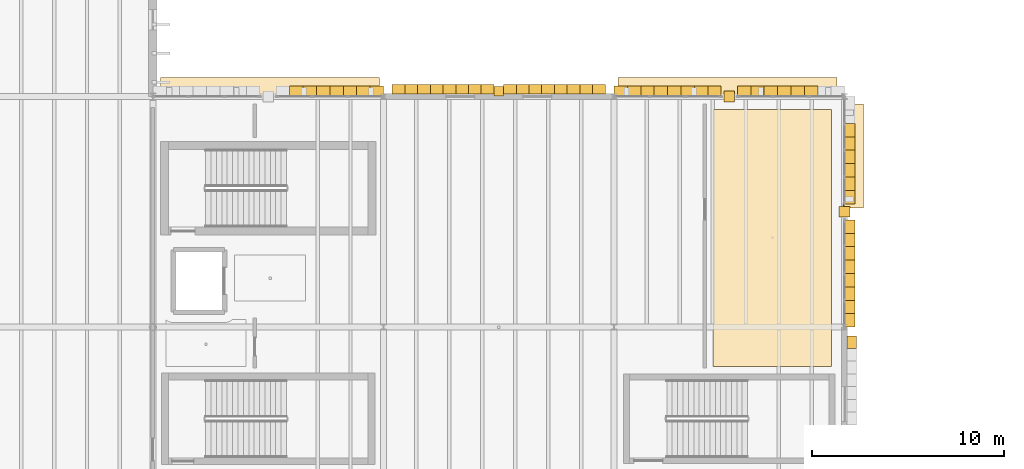
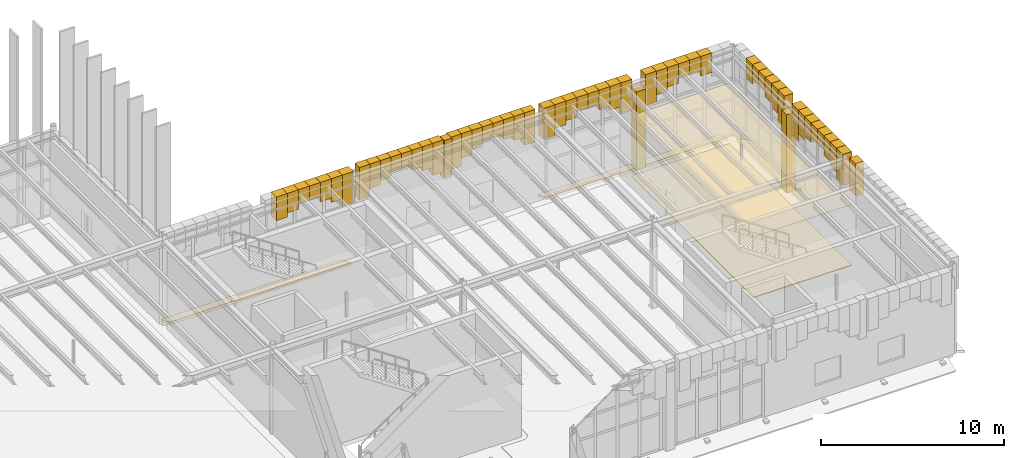
# One storey, part 77 of 83: 60 coverings.
"""IFC4 building model written with IfcOpenShell, lengths in metres."""

from ifc_helpers import new_model, si_unit, direction, frame, origin, place, context, subcontext, project, spatial, polyline, outline, extrude, material, layer, layer_set, type_object, element, save


model = new_model("IFC4")

# Units and contexts
model_context = context("Model", 3, precision=1e-05, world=origin(), true_north=direction((0.0, 1.0)))
body_context = subcontext(model_context, "Body", "Model", "MODEL_VIEW")
ifc_project = project(units=[si_unit("LENGTHUNIT", "METRE"), si_unit("AREAUNIT", "SQUARE_METRE"), si_unit("VOLUMEUNIT", "CUBIC_METRE"), si_unit("PLANEANGLEUNIT", "RADIAN"), si_unit("MASSUNIT", "GRAM", prefix="KILO")], contexts=[model_context])

# Site, building, storey
site_placement = place(None, origin())
site = spatial("IfcSite", under=ifc_project, at=site_placement, CompositionType="ELEMENT")
building_placement = place(site_placement, origin())
building = spatial("IfcBuilding", under=site, at=building_placement, Name="Zlatogorsky Bluff Art Gallery", CompositionType="ELEMENT")
storey_placement = place(building_placement, frame((0.0, 0.0, 10.800048828125)))
storey = spatial("IfcBuildingStorey", under=building, at=storey_placement, Name="L02", CompositionType="ELEMENT", Elevation=10.800048828125)

# Coverings
ifc_material_1 = material(Name="Perforated Gypsum Acoustic Board", Category="gypsum")
ifc_layer_1 = layer(ifc_material_1, 0.0400390625)
ifc_layer_set_1 = layer_set([ifc_layer_1], Name="Acoustic Gallery Ceiling CLG-01")
covering_type_1 = type_object("IfcCoveringType", Name="Acoustic Gallery Ceiling CLG-01", PredefinedType="CEILING", material=ifc_layer_set_1)
covering_1_placement = place(storey_placement, frame((0.0, 0.0, 4.050048828125)))
element("IfcCovering", 1, at=covering_1_placement, inside=storey, type_object=covering_type_1, Name="Artists' Critique and Printmaking Studio acoustic ceiling", PredefinedType="CEILING", context=body_context, shape_type="SweptSolid", body=[
    extrude(outline(polyline([(149.16064453125, 93.9599609375), (149.16064453125, 107.330078125), (155.330078125, 107.330078125), (155.330078125, 93.9599609375), (149.16064453125, 93.9599609375)])), origin(), (0.0, 0.0, 1.0), 0.039794921875),
])
ifc_material_2 = material(Name="Honed Red Agra-Tone Quartzitic Sandstone", Category="masonry")
ifc_layer_2 = layer(ifc_material_2, 0.1201171875)
ifc_layer_set_2 = layer_set([ifc_layer_2], Name="Carved Sandstone Cladding CLD-02")
covering_type_2 = type_object("IfcCoveringType", Name="Carved Sandstone Cladding CLD-02", PredefinedType="CLADDING", material=ifc_layer_set_2)
covering_2_placement = place(storey_placement, frame((0.0, 0.0, 4.379638671875)))
element("IfcCovering", 2, at=covering_2_placement, inside=storey, type_object=covering_type_2, Name="Pointed Mughal arch voussoir spandrel ARCH-CW-L02-N-10-09-A.2", PredefinedType="CLADDING", context=body_context, shape_type="SweptSolid", body=[
    extrude(outline(polyline([(127.117431640625, 107.969970703125), (127.81494140625, 107.969970703125), (127.81494140625, 108.5400390625), (127.117431640625, 108.5400390625), (127.117431640625, 107.969970703125)])), origin(), (0.0, 0.0, 1.0), 1.580322265625),
])
covering_3_placement = place(storey_placement, frame((0.0, 0.0, 4.65625)))
element("IfcCovering", 3, at=covering_3_placement, inside=storey, type_object=covering_type_2, Name="Pointed Mughal arch voussoir spandrel ARCH-CW-L02-N-10-09-A.3", PredefinedType="CLADDING", context=body_context, shape_type="SweptSolid", body=[
    extrude(outline(polyline([(127.81494140625, 107.969970703125), (128.512451171875, 107.969970703125), (128.512451171875, 108.5400390625), (127.81494140625, 108.5400390625), (127.81494140625, 107.969970703125)])), origin(), (0.0, 0.0, 1.0), 1.3037109375),
])
covering_4_placement = place(storey_placement, frame((0.0, 0.0, 5.00439453125)))
element("IfcCovering", 4, at=covering_4_placement, inside=storey, type_object=covering_type_2, Name="Pointed Mughal arch voussoir spandrel ARCH-CW-L02-N-10-09-A.4", PredefinedType="CLADDING", context=body_context, shape_type="SweptSolid", body=[
    extrude(outline(polyline([(128.512451171875, 107.969970703125), (129.2099609375, 107.969970703125), (129.2099609375, 108.5400390625), (128.512451171875, 108.5400390625), (128.512451171875, 107.969970703125)])), origin(), (0.0, 0.0, 1.0), 0.95556640625),
])
covering_5_placement = place(storey_placement, frame((0.0, 0.0, 5.00439453125)))
element("IfcCovering", 5, at=covering_5_placement, inside=storey, type_object=covering_type_2, Name="Pointed Mughal arch voussoir spandrel ARCH-CW-L02-N-10-09-A.5", PredefinedType="CLADDING", context=body_context, shape_type="SweptSolid", body=[
    extrude(outline(polyline([(129.2099609375, 107.969970703125), (129.907470703125, 107.969970703125), (129.907470703125, 108.5400390625), (129.2099609375, 108.5400390625), (129.2099609375, 107.969970703125)])), origin(), (0.0, 0.0, 1.0), 0.95556640625),
])
covering_6_placement = place(storey_placement, frame((0.0, 0.0, 4.65625)))
element("IfcCovering", 6, at=covering_6_placement, inside=storey, type_object=covering_type_2, Name="Pointed Mughal arch voussoir spandrel ARCH-CW-L02-N-10-09-A.6", PredefinedType="CLADDING", context=body_context, shape_type="SweptSolid", body=[
    extrude(outline(polyline([(129.907470703125, 107.969970703125), (130.60498046875, 107.969970703125), (130.60498046875, 108.5400390625), (129.907470703125, 108.5400390625), (129.907470703125, 107.969970703125)])), origin(), (0.0, 0.0, 1.0), 1.3037109375),
])
covering_7_placement = place(storey_placement, frame((0.0, 0.0, 4.379638671875)))
element("IfcCovering", 7, at=covering_7_placement, inside=storey, type_object=covering_type_2, Name="Pointed Mughal arch voussoir spandrel ARCH-CW-L02-N-10-09-A.7", PredefinedType="CLADDING", context=body_context, shape_type="SweptSolid", body=[
    extrude(outline(polyline([(130.60498046875, 107.969970703125), (131.302490234375, 107.969970703125), (131.302490234375, 108.5400390625), (130.60498046875, 108.5400390625), (130.60498046875, 107.969970703125)])), origin(), (0.0, 0.0, 1.0), 1.580322265625),
])
covering_8_placement = place(storey_placement, frame((0.0, 0.0, 3.877685546875)))
element("IfcCovering", 8, at=covering_8_placement, inside=storey, type_object=covering_type_2, Name="Pointed Mughal arch voussoir spandrel ARCH-CW-L02-N-10-09-A.8", PredefinedType="CLADDING", context=body_context, shape_type="SweptSolid", body=[
    extrude(outline(polyline([(131.302490234375, 107.969970703125), (132.0, 107.969970703125), (132.0, 108.5400390625), (131.302490234375, 108.5400390625), (131.302490234375, 107.969970703125)])), origin(), (0.0, 0.0, 1.0), 2.082275390625),
])
covering_9_placement = place(storey_placement, frame((0.0, 0.0, 3.35986328125)))
element("IfcCovering", 9, at=covering_9_placement, inside=storey, type_object=covering_type_2, Name="Mughal blind-arch sandstone pilaster L02.N.11.9", PredefinedType="CLADDING", context=body_context, shape_type="SweptSolid", body=[
    extrude(outline(polyline([(137.760009765625, 108.0400390625), (138.239990234375, 108.0400390625), (138.239990234375, 108.52001953125), (137.760009765625, 108.52001953125), (137.760009765625, 108.0400390625)])), origin(), (0.0, 0.0, 1.0), 2.60009765625),
])
covering_10_placement = place(storey_placement, frame((0.0, 0.0, 3.80224609375)))
element("IfcCovering", 10, at=covering_10_placement, inside=storey, type_object=covering_type_2, Name="Pointed Mughal arch voussoir spandrel WARCH-L02-N-11-09-A.1", PredefinedType="CLADDING", context=body_context, shape_type="SweptSolid", body=[
    extrude(outline(polyline([(132.449951171875, 108.1298828125), (133.112548828125, 108.1298828125), (133.112548828125, 108.6201171875), (132.449951171875, 108.6201171875), (132.449951171875, 108.1298828125)])), origin(), (0.0, 0.0, 1.0), 2.15771484375),
])
covering_11_placement = place(storey_placement, frame((0.0, 0.0, 4.333740234375)))
element("IfcCovering", 11, at=covering_11_placement, inside=storey, type_object=covering_type_2, Name="Pointed Mughal arch voussoir spandrel WARCH-L02-N-11-09-A.2", PredefinedType="CLADDING", context=body_context, shape_type="SweptSolid", body=[
    extrude(outline(polyline([(133.112548828125, 108.1298828125), (133.77490234375, 108.1298828125), (133.77490234375, 108.6201171875), (133.112548828125, 108.6201171875), (133.112548828125, 108.1298828125)])), origin(), (0.0, 0.0, 1.0), 1.626220703125),
])
covering_12_placement = place(storey_placement, frame((0.0, 0.0, 4.626708984375)))
element("IfcCovering", 12, at=covering_12_placement, inside=storey, type_object=covering_type_2, Name="Pointed Mughal arch voussoir spandrel WARCH-L02-N-11-09-A.3", PredefinedType="CLADDING", context=body_context, shape_type="SweptSolid", body=[
    extrude(outline(polyline([(133.77490234375, 108.1298828125), (134.4375, 108.1298828125), (134.4375, 108.6201171875), (133.77490234375, 108.6201171875), (133.77490234375, 108.1298828125)])), origin(), (0.0, 0.0, 1.0), 1.333251953125),
])
covering_13_placement = place(storey_placement, frame((0.0, 0.0, 4.995361328125)))
element("IfcCovering", 13, at=covering_13_placement, inside=storey, type_object=covering_type_2, Name="Pointed Mughal arch voussoir spandrel WARCH-L02-N-11-09-A.4", PredefinedType="CLADDING", context=body_context, shape_type="SweptSolid", body=[
    extrude(outline(polyline([(134.4375, 108.1298828125), (135.10009765625, 108.1298828125), (135.10009765625, 108.6201171875), (134.4375, 108.6201171875), (134.4375, 108.1298828125)])), origin(), (0.0, 0.0, 1.0), 0.964599609375),
])
covering_14_placement = place(storey_placement, frame((0.0, 0.0, 4.995361328125)))
element("IfcCovering", 14, at=covering_14_placement, inside=storey, type_object=covering_type_2, Name="Pointed Mughal arch voussoir spandrel WARCH-L02-N-11-09-A.5", PredefinedType="CLADDING", context=body_context, shape_type="SweptSolid", body=[
    extrude(outline(polyline([(135.10009765625, 108.1298828125), (135.762451171875, 108.1298828125), (135.762451171875, 108.6201171875), (135.10009765625, 108.6201171875), (135.10009765625, 108.1298828125)])), origin(), (0.0, 0.0, 1.0), 0.964599609375),
])
covering_15_placement = place(storey_placement, frame((0.0, 0.0, 4.626708984375)))
element("IfcCovering", 15, at=covering_15_placement, inside=storey, type_object=covering_type_2, Name="Pointed Mughal arch voussoir spandrel WARCH-L02-N-11-09-A.6", PredefinedType="CLADDING", context=body_context, shape_type="SweptSolid", body=[
    extrude(outline(polyline([(135.762451171875, 108.1298828125), (136.425048828125, 108.1298828125), (136.425048828125, 108.6201171875), (135.762451171875, 108.6201171875), (135.762451171875, 108.1298828125)])), origin(), (0.0, 0.0, 1.0), 1.333251953125),
])
covering_16_placement = place(storey_placement, frame((0.0, 0.0, 4.333740234375)))
element("IfcCovering", 16, at=covering_16_placement, inside=storey, type_object=covering_type_2, Name="Pointed Mughal arch voussoir spandrel WARCH-L02-N-11-09-A.7", PredefinedType="CLADDING", context=body_context, shape_type="SweptSolid", body=[
    extrude(outline(polyline([(136.425048828125, 108.1298828125), (137.08740234375, 108.1298828125), (137.08740234375, 108.6201171875), (136.425048828125, 108.6201171875), (136.425048828125, 108.1298828125)])), origin(), (0.0, 0.0, 1.0), 1.626220703125),
])
covering_17_placement = place(storey_placement, frame((0.0, 0.0, 3.80224609375)))
element("IfcCovering", 17, at=covering_17_placement, inside=storey, type_object=covering_type_2, Name="Pointed Mughal arch voussoir spandrel WARCH-L02-N-11-09-A.8", PredefinedType="CLADDING", context=body_context, shape_type="SweptSolid", body=[
    extrude(outline(polyline([(137.08740234375, 108.1298828125), (137.75, 108.1298828125), (137.75, 108.6201171875), (137.08740234375, 108.6201171875), (137.08740234375, 108.1298828125)])), origin(), (0.0, 0.0, 1.0), 2.15771484375),
])
covering_18_placement = place(storey_placement, frame((0.0, 0.0, 3.80224609375)))
element("IfcCovering", 18, at=covering_18_placement, inside=storey, type_object=covering_type_2, Name="Pointed Mughal arch voussoir spandrel WARCH-L02-N-11-09-B.1", PredefinedType="CLADDING", context=body_context, shape_type="SweptSolid", body=[
    extrude(outline(polyline([(138.25, 108.1298828125), (138.91259765625, 108.1298828125), (138.91259765625, 108.6201171875), (138.25, 108.6201171875), (138.25, 108.1298828125)])), origin(), (0.0, 0.0, 1.0), 2.15771484375),
])
covering_19_placement = place(storey_placement, frame((0.0, 0.0, 4.333740234375)))
element("IfcCovering", 19, at=covering_19_placement, inside=storey, type_object=covering_type_2, Name="Pointed Mughal arch voussoir spandrel WARCH-L02-N-11-09-B.2", PredefinedType="CLADDING", context=body_context, shape_type="SweptSolid", body=[
    extrude(outline(polyline([(138.91259765625, 108.1298828125), (139.574951171875, 108.1298828125), (139.574951171875, 108.6201171875), (138.91259765625, 108.6201171875), (138.91259765625, 108.1298828125)])), origin(), (0.0, 0.0, 1.0), 1.626220703125),
])
covering_20_placement = place(storey_placement, frame((0.0, 0.0, 4.626708984375)))
element("IfcCovering", 20, at=covering_20_placement, inside=storey, type_object=covering_type_2, Name="Pointed Mughal arch voussoir spandrel WARCH-L02-N-11-09-B.3", PredefinedType="CLADDING", context=body_context, shape_type="SweptSolid", body=[
    extrude(outline(polyline([(139.574951171875, 108.1298828125), (140.237548828125, 108.1298828125), (140.237548828125, 108.6201171875), (139.574951171875, 108.6201171875), (139.574951171875, 108.1298828125)])), origin(), (0.0, 0.0, 1.0), 1.333251953125),
])
covering_21_placement = place(storey_placement, frame((0.0, 0.0, 4.995361328125)))
element("IfcCovering", 21, at=covering_21_placement, inside=storey, type_object=covering_type_2, Name="Pointed Mughal arch voussoir spandrel WARCH-L02-N-11-09-B.4", PredefinedType="CLADDING", context=body_context, shape_type="SweptSolid", body=[
    extrude(outline(polyline([(140.237548828125, 108.1298828125), (140.89990234375, 108.1298828125), (140.89990234375, 108.6201171875), (140.237548828125, 108.6201171875), (140.237548828125, 108.1298828125)])), origin(), (0.0, 0.0, 1.0), 0.964599609375),
])
covering_22_placement = place(storey_placement, frame((0.0, 0.0, 4.995361328125)))
element("IfcCovering", 22, at=covering_22_placement, inside=storey, type_object=covering_type_2, Name="Pointed Mughal arch voussoir spandrel WARCH-L02-N-11-09-B.5", PredefinedType="CLADDING", context=body_context, shape_type="SweptSolid", body=[
    extrude(outline(polyline([(140.89990234375, 108.1298828125), (141.5625, 108.1298828125), (141.5625, 108.6201171875), (140.89990234375, 108.6201171875), (140.89990234375, 108.1298828125)])), origin(), (0.0, 0.0, 1.0), 0.964599609375),
])
covering_23_placement = place(storey_placement, frame((0.0, 0.0, 4.626708984375)))
element("IfcCovering", 23, at=covering_23_placement, inside=storey, type_object=covering_type_2, Name="Pointed Mughal arch voussoir spandrel WARCH-L02-N-11-09-B.6", PredefinedType="CLADDING", context=body_context, shape_type="SweptSolid", body=[
    extrude(outline(polyline([(141.5625, 108.1298828125), (142.22509765625, 108.1298828125), (142.22509765625, 108.6201171875), (141.5625, 108.6201171875), (141.5625, 108.1298828125)])), origin(), (0.0, 0.0, 1.0), 1.333251953125),
])
covering_24_placement = place(storey_placement, frame((0.0, 0.0, 4.333740234375)))
element("IfcCovering", 24, at=covering_24_placement, inside=storey, type_object=covering_type_2, Name="Pointed Mughal arch voussoir spandrel WARCH-L02-N-11-09-B.7", PredefinedType="CLADDING", context=body_context, shape_type="SweptSolid", body=[
    extrude(outline(polyline([(142.22509765625, 108.1298828125), (142.887451171875, 108.1298828125), (142.887451171875, 108.6201171875), (142.22509765625, 108.6201171875), (142.22509765625, 108.1298828125)])), origin(), (0.0, 0.0, 1.0), 1.626220703125),
])
covering_25_placement = place(storey_placement, frame((0.0, 0.0, 3.80224609375)))
element("IfcCovering", 25, at=covering_25_placement, inside=storey, type_object=covering_type_2, Name="Pointed Mughal arch voussoir spandrel WARCH-L02-N-11-09-B.8", PredefinedType="CLADDING", context=body_context, shape_type="SweptSolid", body=[
    extrude(outline(polyline([(142.887451171875, 108.1298828125), (143.550048828125, 108.1298828125), (143.550048828125, 108.6201171875), (142.887451171875, 108.6201171875), (142.887451171875, 108.1298828125)])), origin(), (0.0, 0.0, 1.0), 2.15771484375),
])
covering_26_placement = place(storey_placement, frame((0.0, 0.0, 3.80224609375)))
element("IfcCovering", 26, at=covering_26_placement, inside=storey, type_object=covering_type_2, Name="Pointed Mughal arch voussoir spandrel WARCH-L02-E-12-08-B.8", PredefinedType="CLADDING", context=body_context, shape_type="SweptSolid", body=[
    extrude(outline(polyline([(156.1298828125, 94.887451171875), (156.1298828125, 95.550048828125), (156.6201171875, 95.550048828125), (156.6201171875, 94.887451171875), (156.1298828125, 94.887451171875)])), origin(), (0.0, 0.0, 1.0), 2.15771484375),
])
covering_27_placement = place(storey_placement, frame((0.0, 0.0, -0.030029296875)))
element("IfcCovering", 27, at=covering_27_placement, inside=storey, type_object=covering_type_2, Name="Mughal dalan central sandstone pier L02 N 12.9", PredefinedType="CLADDING", context=body_context, shape_type="SweptSolid", body=[
    extrude(outline(polyline([(149.719970703125, 107.719970703125), (150.280029296875, 107.719970703125), (150.280029296875, 108.280029296875), (149.719970703125, 108.280029296875), (149.719970703125, 107.719970703125)])), origin(), (0.0, 0.0, 1.0), 5.239990234375),
])
covering_28_placement = place(storey_placement, frame((0.0, 0.0, 3.877685546875)))
element("IfcCovering", 28, at=covering_28_placement, inside=storey, type_object=covering_type_2, Name="Pointed Mughal arch voussoir spandrel ARCH-CW-L02-N-12-09-A.1", PredefinedType="CLADDING", context=body_context, shape_type="SweptSolid", body=[
    extrude(outline(polyline([(150.419921875, 107.969970703125), (151.117431640625, 107.969970703125), (151.117431640625, 108.5400390625), (150.419921875, 108.5400390625), (150.419921875, 107.969970703125)])), origin(), (0.0, 0.0, 1.0), 2.082275390625),
])
covering_29_placement = place(storey_placement, frame((0.0, 0.0, 4.379638671875)))
element("IfcCovering", 29, at=covering_29_placement, inside=storey, type_object=covering_type_2, Name="Pointed Mughal arch voussoir spandrel ARCH-CW-L02-N-12-09-A.2", PredefinedType="CLADDING", context=body_context, shape_type="SweptSolid", body=[
    extrude(outline(polyline([(151.117431640625, 107.969970703125), (151.81494140625, 107.969970703125), (151.81494140625, 108.5400390625), (151.117431640625, 108.5400390625), (151.117431640625, 107.969970703125)])), origin(), (0.0, 0.0, 1.0), 1.580322265625),
])
covering_30_placement = place(storey_placement, frame((0.0, 0.0, 4.65625)))
element("IfcCovering", 30, at=covering_30_placement, inside=storey, type_object=covering_type_2, Name="Pointed Mughal arch voussoir spandrel ARCH-CW-L02-N-12-09-A.3", PredefinedType="CLADDING", context=body_context, shape_type="SweptSolid", body=[
    extrude(outline(polyline([(151.81494140625, 107.969970703125), (152.512451171875, 107.969970703125), (152.512451171875, 108.5400390625), (151.81494140625, 108.5400390625), (151.81494140625, 107.969970703125)])), origin(), (0.0, 0.0, 1.0), 1.3037109375),
])
covering_31_placement = place(storey_placement, frame((0.0, 0.0, 5.00439453125)))
element("IfcCovering", 31, at=covering_31_placement, inside=storey, type_object=covering_type_2, Name="Pointed Mughal arch voussoir spandrel ARCH-CW-L02-N-12-09-A.4", PredefinedType="CLADDING", context=body_context, shape_type="SweptSolid", body=[
    extrude(outline(polyline([(152.512451171875, 107.969970703125), (153.2099609375, 107.969970703125), (153.2099609375, 108.5400390625), (152.512451171875, 108.5400390625), (152.512451171875, 107.969970703125)])), origin(), (0.0, 0.0, 1.0), 0.95556640625),
])
covering_32_placement = place(storey_placement, frame((0.0, 0.0, 5.00439453125)))
element("IfcCovering", 32, at=covering_32_placement, inside=storey, type_object=covering_type_2, Name="Pointed Mughal arch voussoir spandrel ARCH-CW-L02-N-12-09-A.5", PredefinedType="CLADDING", context=body_context, shape_type="SweptSolid", body=[
    extrude(outline(polyline([(153.2099609375, 107.969970703125), (153.907470703125, 107.969970703125), (153.907470703125, 108.5400390625), (153.2099609375, 108.5400390625), (153.2099609375, 107.969970703125)])), origin(), (0.0, 0.0, 1.0), 0.95556640625),
])
covering_33_placement = place(storey_placement, frame((0.0, 0.0, 4.65625)))
element("IfcCovering", 33, at=covering_33_placement, inside=storey, type_object=covering_type_2, Name="Pointed Mughal arch voussoir spandrel ARCH-CW-L02-N-12-09-A.6", PredefinedType="CLADDING", context=body_context, shape_type="SweptSolid", body=[
    extrude(outline(polyline([(153.907470703125, 107.969970703125), (154.60498046875, 107.969970703125), (154.60498046875, 108.5400390625), (153.907470703125, 108.5400390625), (153.907470703125, 107.969970703125)])), origin(), (0.0, 0.0, 1.0), 1.3037109375),
])
covering_34_placement = place(storey_placement, frame((0.0, 0.0, 3.877685546875)))
element("IfcCovering", 34, at=covering_34_placement, inside=storey, type_object=covering_type_2, Name="Pointed Mughal arch voussoir spandrel ARCH-CW-L02-N-12-09-B.1", PredefinedType="CLADDING", context=body_context, shape_type="SweptSolid", body=[
    extrude(outline(polyline([(144.0, 107.969970703125), (144.697509765625, 107.969970703125), (144.697509765625, 108.5400390625), (144.0, 108.5400390625), (144.0, 107.969970703125)])), origin(), (0.0, 0.0, 1.0), 2.082275390625),
])
covering_35_placement = place(storey_placement, frame((0.0, 0.0, 4.379638671875)))
element("IfcCovering", 35, at=covering_35_placement, inside=storey, type_object=covering_type_2, Name="Pointed Mughal arch voussoir spandrel ARCH-CW-L02-N-12-09-B.2", PredefinedType="CLADDING", context=body_context, shape_type="SweptSolid", body=[
    extrude(outline(polyline([(144.697509765625, 107.969970703125), (145.39501953125, 107.969970703125), (145.39501953125, 108.5400390625), (144.697509765625, 108.5400390625), (144.697509765625, 107.969970703125)])), origin(), (0.0, 0.0, 1.0), 1.580322265625),
])
covering_36_placement = place(storey_placement, frame((0.0, 0.0, 4.65625)))
element("IfcCovering", 36, at=covering_36_placement, inside=storey, type_object=covering_type_2, Name="Pointed Mughal arch voussoir spandrel ARCH-CW-L02-N-12-09-B.3", PredefinedType="CLADDING", context=body_context, shape_type="SweptSolid", body=[
    extrude(outline(polyline([(145.39501953125, 107.969970703125), (146.092529296875, 107.969970703125), (146.092529296875, 108.5400390625), (145.39501953125, 108.5400390625), (145.39501953125, 107.969970703125)])), origin(), (0.0, 0.0, 1.0), 1.3037109375),
])
covering_37_placement = place(storey_placement, frame((0.0, 0.0, 5.00439453125)))
element("IfcCovering", 37, at=covering_37_placement, inside=storey, type_object=covering_type_2, Name="Pointed Mughal arch voussoir spandrel ARCH-CW-L02-N-12-09-B.4", PredefinedType="CLADDING", context=body_context, shape_type="SweptSolid", body=[
    extrude(outline(polyline([(146.092529296875, 107.969970703125), (146.7900390625, 107.969970703125), (146.7900390625, 108.5400390625), (146.092529296875, 108.5400390625), (146.092529296875, 107.969970703125)])), origin(), (0.0, 0.0, 1.0), 0.95556640625),
])
covering_38_placement = place(storey_placement, frame((0.0, 0.0, 5.00439453125)))
element("IfcCovering", 38, at=covering_38_placement, inside=storey, type_object=covering_type_2, Name="Pointed Mughal arch voussoir spandrel ARCH-CW-L02-N-12-09-B.5", PredefinedType="CLADDING", context=body_context, shape_type="SweptSolid", body=[
    extrude(outline(polyline([(146.7900390625, 107.969970703125), (147.487548828125, 107.969970703125), (147.487548828125, 108.5400390625), (146.7900390625, 108.5400390625), (146.7900390625, 107.969970703125)])), origin(), (0.0, 0.0, 1.0), 0.95556640625),
])
covering_39_placement = place(storey_placement, frame((0.0, 0.0, 4.65625)))
element("IfcCovering", 39, at=covering_39_placement, inside=storey, type_object=covering_type_2, Name="Pointed Mughal arch voussoir spandrel ARCH-CW-L02-N-12-09-B.6", PredefinedType="CLADDING", context=body_context, shape_type="SweptSolid", body=[
    extrude(outline(polyline([(147.487548828125, 107.969970703125), (148.18505859375, 107.969970703125), (148.18505859375, 108.5400390625), (147.487548828125, 108.5400390625), (147.487548828125, 107.969970703125)])), origin(), (0.0, 0.0, 1.0), 1.3037109375),
])
covering_40_placement = place(storey_placement, frame((0.0, 0.0, 4.379638671875)))
element("IfcCovering", 40, at=covering_40_placement, inside=storey, type_object=covering_type_2, Name="Pointed Mughal arch voussoir spandrel ARCH-CW-L02-N-12-09-B.7", PredefinedType="CLADDING", context=body_context, shape_type="SweptSolid", body=[
    extrude(outline(polyline([(148.18505859375, 107.969970703125), (148.882568359375, 107.969970703125), (148.882568359375, 108.5400390625), (148.18505859375, 108.5400390625), (148.18505859375, 107.969970703125)])), origin(), (0.0, 0.0, 1.0), 1.580322265625),
])
covering_41_placement = place(storey_placement, frame((0.0, 0.0, 3.877685546875)))
element("IfcCovering", 41, at=covering_41_placement, inside=storey, type_object=covering_type_2, Name="Pointed Mughal arch voussoir spandrel ARCH-CW-L02-N-12-09-B.8", PredefinedType="CLADDING", context=body_context, shape_type="SweptSolid", body=[
    extrude(outline(polyline([(148.882568359375, 107.969970703125), (149.580078125, 107.969970703125), (149.580078125, 108.5400390625), (148.882568359375, 108.5400390625), (148.882568359375, 107.969970703125)])), origin(), (0.0, 0.0, 1.0), 2.082275390625),
])
covering_42_placement = place(storey_placement, frame((0.0, 0.0, -0.030029296875)))
element("IfcCovering", 42, at=covering_42_placement, inside=storey, type_object=covering_type_2, Name="Mughal dalan central sandstone pier L02 E 12.9", PredefinedType="CLADDING", context=body_context, shape_type="SweptSolid", body=[
    extrude(outline(polyline([(155.719970703125, 101.719970703125), (156.280029296875, 101.719970703125), (156.280029296875, 102.280029296875), (155.719970703125, 102.280029296875), (155.719970703125, 101.719970703125)])), origin(), (0.0, 0.0, 1.0), 5.239990234375),
])
covering_43_placement = place(storey_placement, frame((0.0, 0.0, 3.877685546875)))
element("IfcCovering", 43, at=covering_43_placement, inside=storey, type_object=covering_type_2, Name="Pointed Mughal arch voussoir spandrel ARCH-CW-L02-E-12-09-A.1", PredefinedType="CLADDING", context=body_context, shape_type="SweptSolid", body=[
    extrude(outline(polyline([(155.969970703125, 96.0), (155.969970703125, 96.697509765625), (156.5400390625, 96.697509765625), (156.5400390625, 96.0), (155.969970703125, 96.0)])), origin(), (0.0, 0.0, 1.0), 2.082275390625),
])
covering_44_placement = place(storey_placement, frame((0.0, 0.0, 4.379638671875)))
element("IfcCovering", 44, at=covering_44_placement, inside=storey, type_object=covering_type_2, Name="Pointed Mughal arch voussoir spandrel ARCH-CW-L02-E-12-09-A.2", PredefinedType="CLADDING", context=body_context, shape_type="SweptSolid", body=[
    extrude(outline(polyline([(155.969970703125, 96.697509765625), (155.969970703125, 97.39501953125), (156.5400390625, 97.39501953125), (156.5400390625, 96.697509765625), (155.969970703125, 96.697509765625)])), origin(), (0.0, 0.0, 1.0), 1.580322265625),
])
covering_45_placement = place(storey_placement, frame((0.0, 0.0, 4.65625)))
element("IfcCovering", 45, at=covering_45_placement, inside=storey, type_object=covering_type_2, Name="Pointed Mughal arch voussoir spandrel ARCH-CW-L02-E-12-09-A.3", PredefinedType="CLADDING", context=body_context, shape_type="SweptSolid", body=[
    extrude(outline(polyline([(155.969970703125, 97.39501953125), (155.969970703125, 98.092529296875), (156.5400390625, 98.092529296875), (156.5400390625, 97.39501953125), (155.969970703125, 97.39501953125)])), origin(), (0.0, 0.0, 1.0), 1.3037109375),
])
covering_46_placement = place(storey_placement, frame((0.0, 0.0, 5.00439453125)))
element("IfcCovering", 46, at=covering_46_placement, inside=storey, type_object=covering_type_2, Name="Pointed Mughal arch voussoir spandrel ARCH-CW-L02-E-12-09-A.4", PredefinedType="CLADDING", context=body_context, shape_type="SweptSolid", body=[
    extrude(outline(polyline([(155.969970703125, 98.092529296875), (155.969970703125, 98.7900390625), (156.5400390625, 98.7900390625), (156.5400390625, 98.092529296875), (155.969970703125, 98.092529296875)])), origin(), (0.0, 0.0, 1.0), 0.95556640625),
])
covering_47_placement = place(storey_placement, frame((0.0, 0.0, 5.00439453125)))
element("IfcCovering", 47, at=covering_47_placement, inside=storey, type_object=covering_type_2, Name="Pointed Mughal arch voussoir spandrel ARCH-CW-L02-E-12-09-A.5", PredefinedType="CLADDING", context=body_context, shape_type="SweptSolid", body=[
    extrude(outline(polyline([(155.969970703125, 98.7900390625), (155.969970703125, 99.487548828125), (156.5400390625, 99.487548828125), (156.5400390625, 98.7900390625), (155.969970703125, 98.7900390625)])), origin(), (0.0, 0.0, 1.0), 0.95556640625),
])
covering_48_placement = place(storey_placement, frame((0.0, 0.0, 4.65625)))
element("IfcCovering", 48, at=covering_48_placement, inside=storey, type_object=covering_type_2, Name="Pointed Mughal arch voussoir spandrel ARCH-CW-L02-E-12-09-A.6", PredefinedType="CLADDING", context=body_context, shape_type="SweptSolid", body=[
    extrude(outline(polyline([(155.969970703125, 99.487548828125), (155.969970703125, 100.18505859375), (156.5400390625, 100.18505859375), (156.5400390625, 99.487548828125), (155.969970703125, 99.487548828125)])), origin(), (0.0, 0.0, 1.0), 1.3037109375),
])
covering_49_placement = place(storey_placement, frame((0.0, 0.0, 4.379638671875)))
element("IfcCovering", 49, at=covering_49_placement, inside=storey, type_object=covering_type_2, Name="Pointed Mughal arch voussoir spandrel ARCH-CW-L02-E-12-09-A.7", PredefinedType="CLADDING", context=body_context, shape_type="SweptSolid", body=[
    extrude(outline(polyline([(155.969970703125, 100.18505859375), (155.969970703125, 100.882568359375), (156.5400390625, 100.882568359375), (156.5400390625, 100.18505859375), (155.969970703125, 100.18505859375)])), origin(), (0.0, 0.0, 1.0), 1.580322265625),
])
covering_50_placement = place(storey_placement, frame((0.0, 0.0, 3.877685546875)))
element("IfcCovering", 50, at=covering_50_placement, inside=storey, type_object=covering_type_2, Name="Pointed Mughal arch voussoir spandrel ARCH-CW-L02-E-12-09-A.8", PredefinedType="CLADDING", context=body_context, shape_type="SweptSolid", body=[
    extrude(outline(polyline([(155.969970703125, 100.882568359375), (155.969970703125, 101.580078125), (156.5400390625, 101.580078125), (156.5400390625, 100.882568359375), (155.969970703125, 100.882568359375)])), origin(), (0.0, 0.0, 1.0), 2.082275390625),
])
covering_51_placement = place(storey_placement, frame((0.0, 0.0, 3.877685546875)))
element("IfcCovering", 51, at=covering_51_placement, inside=storey, type_object=covering_type_2, Name="Pointed Mughal arch voussoir spandrel ARCH-CW-L02-E-12-09-B.1", PredefinedType="CLADDING", context=body_context, shape_type="SweptSolid", body=[
    extrude(outline(polyline([(155.969970703125, 102.419921875), (155.969970703125, 103.117431640625), (156.5400390625, 103.117431640625), (156.5400390625, 102.419921875), (155.969970703125, 102.419921875)])), origin(), (0.0, 0.0, 1.0), 2.082275390625),
])
covering_52_placement = place(storey_placement, frame((0.0, 0.0, 4.379638671875)))
element("IfcCovering", 52, at=covering_52_placement, inside=storey, type_object=covering_type_2, Name="Pointed Mughal arch voussoir spandrel ARCH-CW-L02-E-12-09-B.2", PredefinedType="CLADDING", context=body_context, shape_type="SweptSolid", body=[
    extrude(outline(polyline([(155.969970703125, 103.117431640625), (155.969970703125, 103.81494140625), (156.5400390625, 103.81494140625), (156.5400390625, 103.117431640625), (155.969970703125, 103.117431640625)])), origin(), (0.0, 0.0, 1.0), 1.580322265625),
])
covering_53_placement = place(storey_placement, frame((0.0, 0.0, 4.65625)))
element("IfcCovering", 53, at=covering_53_placement, inside=storey, type_object=covering_type_2, Name="Pointed Mughal arch voussoir spandrel ARCH-CW-L02-E-12-09-B.3", PredefinedType="CLADDING", context=body_context, shape_type="SweptSolid", body=[
    extrude(outline(polyline([(155.969970703125, 103.81494140625), (155.969970703125, 104.512451171875), (156.5400390625, 104.512451171875), (156.5400390625, 103.81494140625), (155.969970703125, 103.81494140625)])), origin(), (0.0, 0.0, 1.0), 1.3037109375),
])
covering_54_placement = place(storey_placement, frame((0.0, 0.0, 5.00439453125)))
element("IfcCovering", 54, at=covering_54_placement, inside=storey, type_object=covering_type_2, Name="Pointed Mughal arch voussoir spandrel ARCH-CW-L02-E-12-09-B.4", PredefinedType="CLADDING", context=body_context, shape_type="SweptSolid", body=[
    extrude(outline(polyline([(155.969970703125, 104.512451171875), (155.969970703125, 105.2099609375), (156.5400390625, 105.2099609375), (156.5400390625, 104.512451171875), (155.969970703125, 104.512451171875)])), origin(), (0.0, 0.0, 1.0), 0.95556640625),
])
covering_55_placement = place(storey_placement, frame((0.0, 0.0, 5.00439453125)))
element("IfcCovering", 55, at=covering_55_placement, inside=storey, type_object=covering_type_2, Name="Pointed Mughal arch voussoir spandrel ARCH-CW-L02-E-12-09-B.5", PredefinedType="CLADDING", context=body_context, shape_type="SweptSolid", body=[
    extrude(outline(polyline([(155.969970703125, 105.2099609375), (155.969970703125, 105.907470703125), (156.5400390625, 105.907470703125), (156.5400390625, 105.2099609375), (155.969970703125, 105.2099609375)])), origin(), (0.0, 0.0, 1.0), 0.95556640625),
])
covering_56_placement = place(storey_placement, frame((0.0, 0.0, 4.65625)))
element("IfcCovering", 56, at=covering_56_placement, inside=storey, type_object=covering_type_2, Name="Pointed Mughal arch voussoir spandrel ARCH-CW-L02-E-12-09-B.6", PredefinedType="CLADDING", context=body_context, shape_type="SweptSolid", body=[
    extrude(outline(polyline([(155.969970703125, 105.907470703125), (155.969970703125, 106.60498046875), (156.5400390625, 106.60498046875), (156.5400390625, 105.907470703125), (155.969970703125, 105.907470703125)])), origin(), (0.0, 0.0, 1.0), 1.3037109375),
])
for number, where, z_axis, x_axis, name in (
    (57, (120.39990234375, 107.9599609375, -0.0400390625), (0.0, 0.380683013172, 0.924705598276), (1.0, 0.0, 0.0), "Projecting sloped Mughal chhajja stone eave CHJ-NE-N-L02A"),
    (58, (144.199951171875, 107.9599609375, -0.0400390625), (0.0, 0.380683013172, 0.924705598276), (1.0, 0.0, 0.0), "Projecting sloped Mughal chhajja stone eave CHJ-NE-N-L02B"),
):
    element("IfcCovering", number, at=place(storey_placement, frame(where, z_axis=z_axis, x_axis=x_axis)), inside=storey, type_object=covering_type_2, Name=name, PredefinedType="CLADDING", context=body_context, shape_type="SweptSolid", body=[
        extrude(outline(polyline([(0.0, 0.0), (11.400146484375, 0.0), (11.400146484375, 1.1030748955691927), (0.0, 1.1030748955691927), (0.0, 0.0)])), origin(), (0.0, 0.0, -1.0), 0.139892578125),
    ])
covering_57_placement = place(storey_placement, frame((155.9599609375, 107.60009765625, -0.0400390625), z_axis=(0.380683013172, 0.0, 0.924705598276), x_axis=(0.0, -1.0, 0.0)))
element("IfcCovering", 59, at=covering_57_placement, inside=storey, type_object=covering_type_2, Name="Projecting sloped Mughal chhajja stone eave CHJ-NE-E-L02B", PredefinedType="CLADDING", context=body_context, shape_type="SweptSolid", body=[
    extrude(outline(polyline([(0.0, 0.0), (5.400146484375, 0.0), (5.400146484375, 1.1030748955691927), (0.0, 1.1030748955691927), (0.0, 0.0)])), origin(), (0.0, 0.0, -1.0), 0.139892578125),
])
ifc_material_3 = material(Name="Polished Ural Marble Terrazzo", Category="masonry")
ifc_layer_3 = layer(ifc_material_3, 0.050048828125)
ifc_layer_set_3 = layer_set([ifc_layer_3], Name="Terrazzo Gallery Flooring FLR-01")
covering_type_3 = type_object("IfcCoveringType", Name="Terrazzo Gallery Flooring FLR-01", PredefinedType="FLOORING", material=ifc_layer_set_3)
covering_58_placement = place(storey_placement, origin())
element("IfcCovering", 60, at=covering_58_placement, inside=storey, type_object=covering_type_3, Name="Artists' Critique and Printmaking Studio terrazzo floor finish", PredefinedType="FLOORING", context=body_context, shape_type="SweptSolid", body=[
    extrude(outline(polyline([(149.16064453125, 93.9599609375), (149.16064453125, 107.330078125), (155.330078125, 107.330078125), (155.330078125, 93.9599609375), (149.16064453125, 93.9599609375)])), origin(), (0.0, 0.0, 1.0), 0.050048828125),
])

save(model, "model.ifc")
